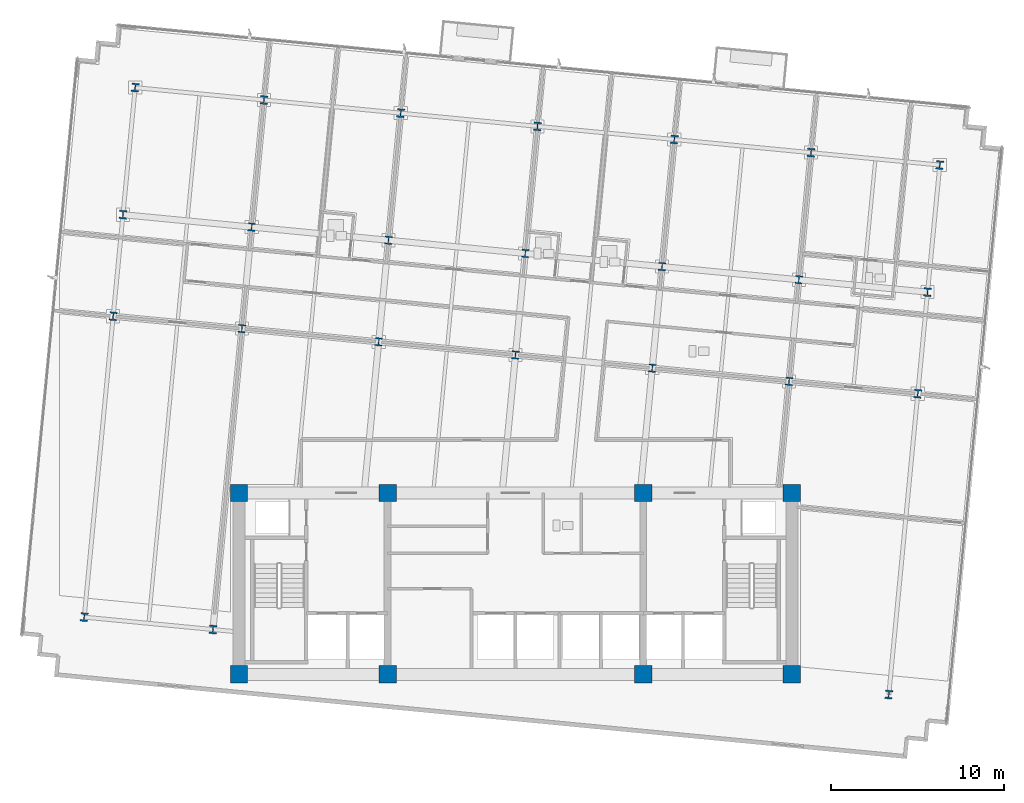
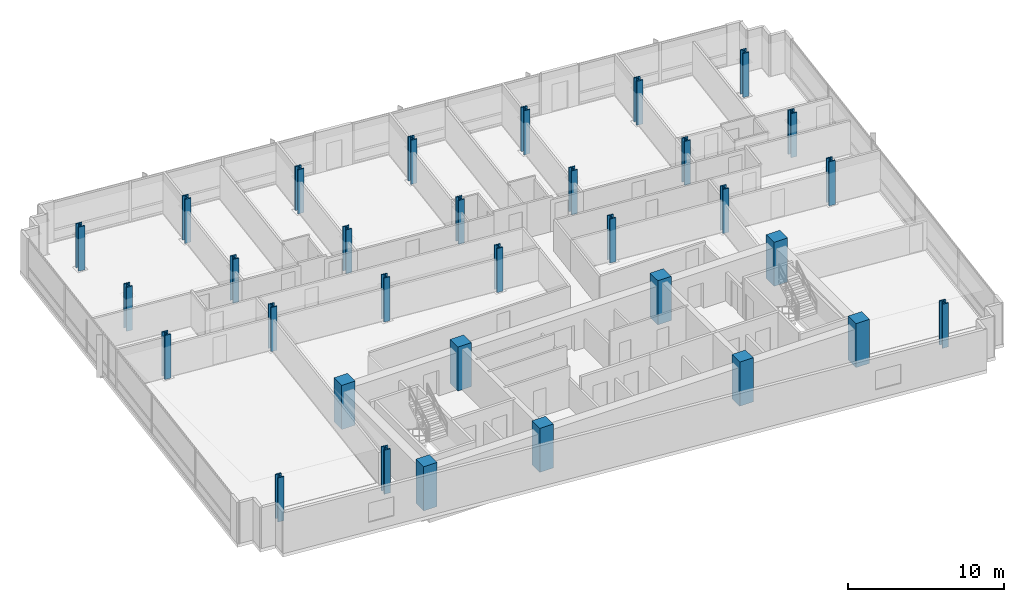
# One storey, part 1 of 17: 32 columns.
"""IFC4 building model written with IfcOpenShell, lengths in metres."""

import ifcopenshell
import ifcopenshell.guid

model = None  # the IFC model being written
_history = None  # IfcOwnerHistory: only IFC2X3 demands one
_inside = {}  # id of a spatial element -> (the spatial element, [elements in it])
_under = {}  # id of a project, library or spatial element -> (it, [spatial elements below it])
_declared = {}  # id of a project -> (the project, [libraries it declares])
_typed = {}  # id of a type object -> (the type object, [elements of that type])
_made_of = {}  # id of a material, layer set ... -> (it, [elements and type objects made of it])


def new_model(schema):
    """Start an empty IFC model of exactly this schema.

    Asked for "IFC4X3", IfcOpenShell would pick the latest addendum, in which some entities
    have other attributes; the version numbers below select the first issue.
    IFC2X3 requires an IfcOwnerHistory on every rooted entity: one is made here for all.
    """
    global model, _history
    if schema == "IFC4X3":
        model = ifcopenshell.file(schema_version=(4, 3, 0, 0))
    else:
        model = ifcopenshell.file(schema=schema)
    _inside.clear()
    _under.clear()
    _declared.clear()
    _typed.clear()
    _made_of.clear()
    _history = None
    if model.schema == "IFC2X3":
        org = make("IfcOrganization", Name="unknown")
        user = make(
            "IfcPersonAndOrganization",
            ThePerson=make("IfcPerson", FamilyName="unknown"),
            TheOrganization=org,
        )
        app = make(
            "IfcApplication",
            ApplicationDeveloper=org,
            Version="unknown",
            ApplicationFullName="unknown",
            ApplicationIdentifier="unknown",
        )
        _history = make(
            "IfcOwnerHistory",
            OwningUser=user,
            OwningApplication=app,
            ChangeAction="ADDED",
            CreationDate=0,
        )
    return model


def make(cls, **values):
    """One entity of the class cls with the attributes given. An attribute that is None is left unset."""
    return model.create_entity(
        cls, **{name: value for name, value in values.items() if value is not None}
    )


def rooted(cls, **values):
    """An entity with a GlobalId (a new one), such as an element, a storey or a relation."""
    return make(cls, GlobalId=ifcopenshell.guid.new(), OwnerHistory=_history, **values)


def si_unit(unit_type, name, prefix=None):
    """IfcSIUnit, for example si_unit("LENGTHUNIT", "METRE", prefix="MILLI")."""
    return make("IfcSIUnit", UnitType=unit_type, Prefix=prefix, Name=name)


def assignment(units):
    """IfcUnitAssignment: the units of a project."""
    return None if units is None else make("IfcUnitAssignment", Units=units)


def point(xyz):
    """IfcCartesianPoint."""
    return None if xyz is None else make("IfcCartesianPoint", Coordinates=xyz)


def direction(xyz):
    """IfcDirection."""
    return None if xyz is None else make("IfcDirection", DirectionRatios=xyz)


def frame(location, z_axis=None, x_axis=None):
    """IfcAxis2Placement3D, a coordinate frame: its origin and axes. An axis left out is left unset."""
    return make(
        "IfcAxis2Placement3D",
        Location=point(location),
        Axis=direction(z_axis),
        RefDirection=direction(x_axis),
    )


def frame_2d(location, x_axis=None):
    """IfcAxis2Placement2D, a coordinate frame in the plane: its origin and x axis."""
    return make(
        "IfcAxis2Placement2D", Location=point(location), RefDirection=direction(x_axis)
    )


def origin():
    """The frame at (0, 0, 0) with its axes left unset."""
    return frame((0.0, 0.0, 0.0))


def origin_2d():
    """The frame at (0, 0) in the plane with its x axis left unset."""
    return frame_2d((0.0, 0.0))


def place(relative_to, where):
    """IfcLocalPlacement: puts the frame where relative to a parent placement (None: the world)."""
    return make(
        "IfcLocalPlacement", PlacementRelTo=relative_to, RelativePlacement=where
    )


def context(
    kind, dimensions, precision=None, world=None, true_north=None, identifier=None
):
    """IfcGeometricRepresentationContext, for example the 3D "Model" context."""
    return make(
        "IfcGeometricRepresentationContext",
        ContextIdentifier=identifier,
        ContextType=kind,
        CoordinateSpaceDimension=dimensions,
        Precision=precision,
        WorldCoordinateSystem=world,
        TrueNorth=true_north,
    )


def subcontext(parent, identifier, kind, view, scale=None):
    """IfcGeometricRepresentationSubContext, for example "Body" below "Model"."""
    return make(
        "IfcGeometricRepresentationSubContext",
        ContextIdentifier=identifier,
        ContextType=kind,
        ParentContext=parent,
        TargetScale=scale,
        TargetView=view,
    )


def project(units=None, contexts=None):
    """IfcProject with its units and contexts."""
    return rooted(
        "IfcProject",
        Name="project",
        RepresentationContexts=contexts,
        UnitsInContext=assignment(units),
    )


def spatial(cls, under=None, at=None, **own):
    """A site, building, storey or space (cls), placed at a placement, below another one or the project."""
    s = rooted(cls, ObjectPlacement=at, **own)
    if under is not None:
        _under.setdefault(under.id(), (under, []))[1].append(s)
    return s


def profile(cls, at=None, kind="AREA", **sizes):
    """A parametric profile (cls). Its sizes go by their IFC names, for example OverallWidth=200.0."""
    return make(cls, ProfileType=kind, Position=at, **sizes)


def rectangle(**sizes):
    """IfcRectangleProfileDef."""
    return profile("IfcRectangleProfileDef", **sizes)


def i_section(**sizes):
    """IfcIShapeProfileDef."""
    return profile("IfcIShapeProfileDef", **sizes)


def extrude(swept, where, along, depth):
    """IfcExtrudedAreaSolid: the profile swept, set in the frame where, extruded along a direction by depth."""
    return make(
        "IfcExtrudedAreaSolid",
        SweptArea=swept,
        Position=where,
        ExtrudedDirection=direction(along),
        Depth=depth,
    )


def shape(context_of_items, identifier, shape_type, items):
    """IfcShapeRepresentation: the items that make up one representation, for example the "Body"."""
    return make(
        "IfcShapeRepresentation",
        ContextOfItems=context_of_items,
        RepresentationIdentifier=identifier,
        RepresentationType=shape_type,
        Items=items,
    )


def material(Name=None, Category=None):
    """IfcMaterial."""
    return make("IfcMaterial", Name=Name, Category=Category)


def material_profile(
    of_material, cross_section, Name=None, Category=None, Priority=None
):
    """IfcMaterialProfile: a cross section and its material."""
    return make(
        "IfcMaterialProfile",
        Name=Name,
        Material=of_material,
        Profile=cross_section,
        Priority=Priority,
        Category=Category,
    )


def profile_set(profiles, Name=None, composite=None):
    """IfcMaterialProfileSet."""
    return make(
        "IfcMaterialProfileSet",
        Name=Name,
        MaterialProfiles=profiles,
        CompositeProfile=composite,
    )


def made_of(thing, what):
    """Note that an element or type object is made of a material, layer set ...; save() writes the relation."""
    if what is not None:
        _made_of.setdefault(what.id(), (what, []))[1].append(thing)
    return thing


def type_object(cls, material=None, **own):
    """A type object (cls), such as IfcWallType, which elements share."""
    return made_of(rooted(cls, **own), material)


def element(
    cls,
    number,
    at=None,
    inside=None,
    cuts=None,
    type_object=None,
    material=None,
    context=None,
    identifier="Body",
    shape_type=None,
    held_by="IfcProductDefinitionShape",
    body=None,
    shapes=None,
    **own,
):
    """One element of the class cls, such as IfcWall. Its Tag is "e" and its number.

    at: its placement. inside: the storey or other place that contains it. cuts: it is an
    opening in that element (IfcRelVoidsElement). A single representation is given by context,
    identifier, shape_type and body (its items); several are given by shapes. held_by: the class
    of the entity that holds the representations. save() writes the other relations.
    """
    e = rooted(cls, Tag="e%d" % number, ObjectPlacement=at, **own)
    if body is not None:
        shapes = [shape(context, identifier, shape_type, body)]
    if shapes is not None:
        e.Representation = make(held_by, Representations=shapes)
    if inside is not None:
        _inside.setdefault(inside.id(), (inside, []))[1].append(e)
    if cuts is not None:
        rooted(
            "IfcRelVoidsElement", RelatingBuildingElement=cuts, RelatedOpeningElement=e
        )
    if type_object is not None:
        _typed.setdefault(type_object.id(), (type_object, []))[1].append(e)
    return made_of(e, material)


def aggregate(whole, parts):
    """IfcRelAggregates: a whole, such as a stair, and the parts it consists of."""
    return rooted("IfcRelAggregates", RelatingObject=whole, RelatedObjects=parts)


def save(model, path):
    """Write the relations noted so far, then the file.

    IfcRelAggregates (storeys below a building ...), IfcRelContainedInSpatialStructure (elements
    in a storey), IfcRelDefinesByType, IfcRelAssociatesMaterial and IfcRelDeclares: one each for
    every whole, place, type object, material and project.
    """
    for whole, parts in _under.values():
        aggregate(whole, parts)
    for where, things in _inside.values():
        rooted(
            "IfcRelContainedInSpatialStructure",
            RelatedElements=things,
            RelatingStructure=where,
        )
    for kind, things in _typed.values():
        rooted("IfcRelDefinesByType", RelatedObjects=things, RelatingType=kind)
    for what, things in _made_of.values():
        rooted("IfcRelAssociatesMaterial", RelatedObjects=things, RelatingMaterial=what)
    for by, libraries in _declared.values():
        rooted("IfcRelDeclares", RelatingContext=by, RelatedDefinitions=libraries)
    model.write(path)


model = new_model("IFC4")

# Units and contexts
model_context = context("Model", 3, precision=1e-05, world=origin(), true_north=direction((0.0, 1.0)))
body_context = subcontext(model_context, "Body", "Model", "MODEL_VIEW")
ifc_project = project(units=[si_unit("LENGTHUNIT", "METRE"), si_unit("AREAUNIT", "SQUARE_METRE"), si_unit("VOLUMEUNIT", "CUBIC_METRE"), si_unit("PLANEANGLEUNIT", "RADIAN"), si_unit("MASSUNIT", "GRAM", prefix="KILO")], contexts=[model_context])

# Site, building, storey
site_placement = place(None, origin())
site = spatial("IfcSite", under=ifc_project, at=site_placement, CompositionType="ELEMENT")
building_placement = place(site_placement, origin())
building = spatial("IfcBuilding", under=site, at=building_placement, Name="Solmavex Isthmus Hotel", CompositionType="ELEMENT")
storey_placement = place(building_placement, frame((0.0, 0.0, 170.39990234375)))
storey = spatial("IfcBuildingStorey", under=building, at=storey_placement, Name="L46", CompositionType="ELEMENT", Elevation=170.39990234375)

# Columns
ifc_material_1 = material(Name="Concrete C60/75", Category="concrete")
ifc_material_profile_1 = material_profile(ifc_material_1, rectangle(XDim=1.0, YDim=1.0, at=origin_2d()), Name="RC1000X1000")
ifc_profile_set_1 = profile_set([ifc_material_profile_1], Name="Concrete C60/75")
column_type_1 = type_object("IfcColumnType", Name="COL-CC-1000", PredefinedType="COLUMN", material=ifc_profile_set_1)
for number, where, z_axis, x_axis, name in (
    (1, (-16.0, -13.0, 0.0), (0.0, 0.0, 1.0), (1.0, 0.0, 0.0), "Core Pilaster CC-SW L46"),
    (2, (-7.39990234375, -13.0, 0.0), (0.0, 0.0, 1.0), (1.0, 0.0, 0.0), "Core Pilaster CC-S1 L46"),
    (3, (7.39990234375, -13.0, 0.0), (0.0, 0.0, 1.0), (1.0, 0.0, 0.0), "Core Pilaster CC-S2 L46"),
    (4, (16.0, -13.0, 0.0), (0.0, 0.0, 1.0), (1.0, 0.0, 0.0), "Core Pilaster CC-SE L46"),
    (5, (-16.0, -2.5, 0.0), (0.0, 0.0, 1.0), (1.0, 0.0, 0.0), "Core Pilaster CC-NW L46"),
    (6, (-7.39990234375, -2.5, 0.0), (0.0, 0.0, 1.0), (1.0, 0.0, 0.0), "Core Pilaster CC-N1 L46"),
    (7, (7.39990234375, -2.5, 0.0), (0.0, 0.0, 1.0), (1.0, 0.0, 0.0), "Core Pilaster CC-N2 L46"),
    (8, (16.0, -2.5, 0.0), (0.0, 0.0, 1.0), (1.0, 0.0, 0.0), "Core Pilaster CC-NE L46"),
):
    element("IfcColumn", number, at=place(storey_placement, frame(where, z_axis=z_axis, x_axis=x_axis)), inside=storey, type_object=column_type_1, Name=name, PredefinedType="COLUMN", context=body_context, shape_type="SweptSolid", body=[
        extrude(rectangle(XDim=1.0, YDim=1.0, at=origin_2d()), origin(), (0.0, 0.0, 1.0), 3.4501953125),
    ])
ifc_material_2 = material(Name="Steel ASTM A913 Grade 65", Category="steel")
ifc_material_profile_2 = material_profile(ifc_material_2, i_section(OverallWidth=0.424072265625, OverallDepth=0.47412109375, WebThickness=0.047607421875, FlangeThickness=0.0771484375, FilletRadius=0.030517578125, at=origin_2d()), Name="W14X426")
ifc_profile_set_2 = profile_set([ifc_material_profile_2], Name="Steel ASTM A913 Grade 65")
column_type_2 = type_object("IfcColumnType", Name="COL-SC-W14X426", PredefinedType="COLUMN", material=ifc_profile_set_2)
for number, where, z_axis, x_axis, name in (
    (9, (-15.83740234375, 7.015380859375, 0.0), (0.0, 0.0, 1.0), (0.995396198367, -0.09584575252, 0.0), "Tower Column B3-U2V2 L46"),
    (10, (-15.271240234375, 12.896240234375, 0.0), (0.0, 0.0, 1.0), (0.995396198367, -0.09584575252, 0.0), "Tower Column B3-U2V3 L46"),
    (11, (-7.918212890625, 6.2529296875, 0.0), (0.0, 0.0, 1.0), (0.995396198367, -0.09584575252, 0.0), "Tower Column B3-U3V2 L46"),
    (12, (-7.351806640625, 12.1337890625, 0.0), (0.0, 0.0, 1.0), (0.995396198367, -0.09584575252, 0.0), "Tower Column B3-U3V3 L46"),
    (13, (0.001220703125, 5.490234375, 0.0), (0.0, 0.0, 1.0), (0.995396198367, -0.09584575252, 0.0), "Tower Column B3-U4V2 L46"),
    (14, (0.567626953125, 11.37109375, 0.0), (0.0, 0.0, 1.0), (0.995396198367, -0.09584575252, 0.0), "Tower Column B3-U4V3 L46"),
    (15, (7.920654296875, 4.727783203125, 0.0), (0.0, 0.0, 1.0), (0.995396198367, -0.09584575252, 0.0), "Tower Column B3-U5V2 L46"),
    (16, (8.48681640625, 10.608642578125, 0.0), (0.0, 0.0, 1.0), (0.995396198367, -0.09584575252, 0.0), "Tower Column B3-U5V3 L46"),
    (17, (15.840087890625, 3.96533203125, 0.0), (0.0, 0.0, 1.0), (0.995396198367, -0.09584575252, 0.0), "Tower Column B3-U6V2 L46"),
    (18, (16.40625, 9.845947265625, 0.0), (0.0, 0.0, 1.0), (0.995396198367, -0.09584575252, 0.0), "Tower Column B3-U6V3 L46"),
):
    element("IfcColumn", number, at=place(storey_placement, frame(where, z_axis=z_axis, x_axis=x_axis)), inside=storey, type_object=column_type_2, Name=name, PredefinedType="COLUMN", context=body_context, shape_type="SweptSolid", body=[
        extrude(i_section(OverallWidth=0.424072265625, OverallDepth=0.47412109375, WebThickness=0.047607421875, FlangeThickness=0.0771484375, FilletRadius=0.030517578125, at=origin_2d()), origin(), (0.0, 0.0, 1.0), 3.4501953125),
    ])
ifc_material_profile_3 = material_profile(ifc_material_2, i_section(OverallWidth=0.43212890625, OverallDepth=0.497802734375, WebThickness=0.0556640625, FlangeThickness=0.0888671875, FilletRadius=0.030517578125, at=origin_2d()), Name="W14X500")
ifc_profile_set_3 = profile_set([ifc_material_profile_3], Name="Steel ASTM A913 Grade 65")
column_type_3 = type_object("IfcColumnType", Name="COL-SC-W14X500", PredefinedType="COLUMN", material=ifc_profile_set_3)
for number, where, z_axis, x_axis, name in (
    (19, (-24.96826171875, -9.686279296875, 0.0), (0.0, 0.0, 1.0), (0.995396198367, -0.09584575252, 0.0), "Tower Column B3-U1V1 L46"),
    (20, (-23.291015625, 7.733154296875, 0.0), (0.0, 0.0, 1.0), (0.995396198367, -0.09584575252, 0.0), "Tower Column B3-U1V2 L46"),
    (21, (-22.724853515625, 13.614013671875, 0.0), (0.0, 0.0, 1.0), (0.995396198367, -0.09584575252, 0.0), "Tower Column B3-U1V3 L46"),
    (22, (-22.016357421875, 20.971923828125, 0.0), (0.0, 0.0, 1.0), (0.995396198367, -0.09584575252, 0.0), "Tower Column B3-U1V4 L46"),
    (23, (-17.5146484375, -10.404052734375, 0.0), (0.0, 0.0, 1.0), (0.995396198367, -0.09584575252, 0.0), "Tower Column B3-U2V1 L46"),
    (24, (-14.562744140625, 20.254150390625, 0.0), (0.0, 0.0, 1.0), (0.995396198367, -0.09584575252, 0.0), "Tower Column B3-U2V4 L46"),
    (25, (-6.643310546875, 19.49169921875, 0.0), (0.0, 0.0, 1.0), (0.995396198367, -0.09584575252, 0.0), "Tower Column B3-U3V4 L46"),
    (26, (1.276123046875, 18.72900390625, 0.0), (0.0, 0.0, 1.0), (0.995396198367, -0.09584575252, 0.0), "Tower Column B3-U4V4 L46"),
    (27, (9.1953125, 17.966552734375, 0.0), (0.0, 0.0, 1.0), (0.995396198367, -0.09584575252, 0.0), "Tower Column B3-U5V4 L46"),
    (28, (17.11474609375, 17.2041015625, 0.0), (0.0, 0.0, 1.0), (0.995396198367, -0.09584575252, 0.0), "Tower Column B3-U6V4 L46"),
    (29, (21.6162109375, -14.171875, 0.0), (0.0, 0.0, 1.0), (0.995396198367, -0.09584575252, 0.0), "Tower Column B3-U7V1 L46"),
    (30, (23.29345703125, 3.24755859375, 0.0), (0.0, 0.0, 1.0), (0.995396198367, -0.09584575252, 0.0), "Tower Column B3-U7V2 L46"),
    (31, (23.85986328125, 9.12841796875, 0.0), (0.0, 0.0, 1.0), (0.995396198367, -0.09584575252, 0.0), "Tower Column B3-U7V3 L46"),
    (32, (24.568359375, 16.486328125, 0.0), (0.0, 0.0, 1.0), (0.995396198367, -0.09584575252, 0.0), "Tower Column B3-U7V4 L46"),
):
    element("IfcColumn", number, at=place(storey_placement, frame(where, z_axis=z_axis, x_axis=x_axis)), inside=storey, type_object=column_type_3, Name=name, PredefinedType="COLUMN", context=body_context, shape_type="SweptSolid", body=[
        extrude(i_section(OverallWidth=0.43212890625, OverallDepth=0.497802734375, WebThickness=0.0556640625, FlangeThickness=0.0888671875, FilletRadius=0.030517578125, at=origin_2d()), origin(), (0.0, 0.0, 1.0), 3.4501953125),
    ])

save(model, "model.ifc")
